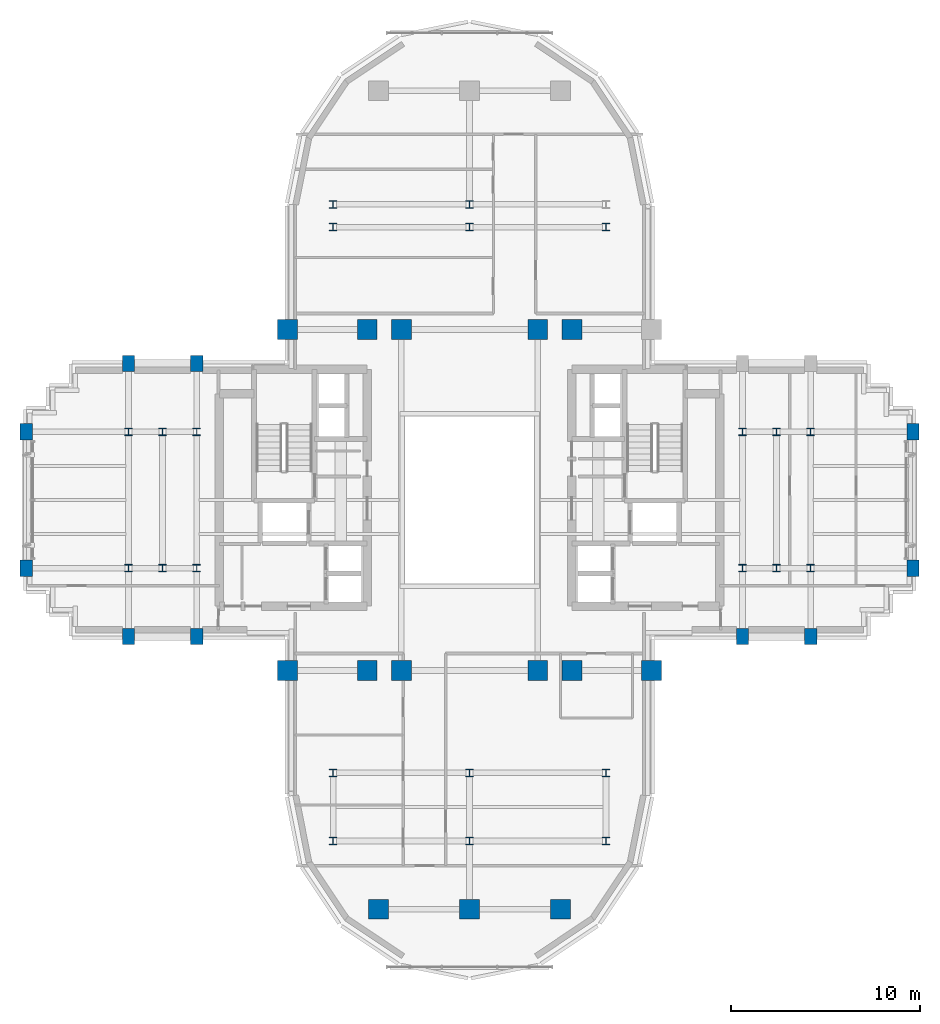
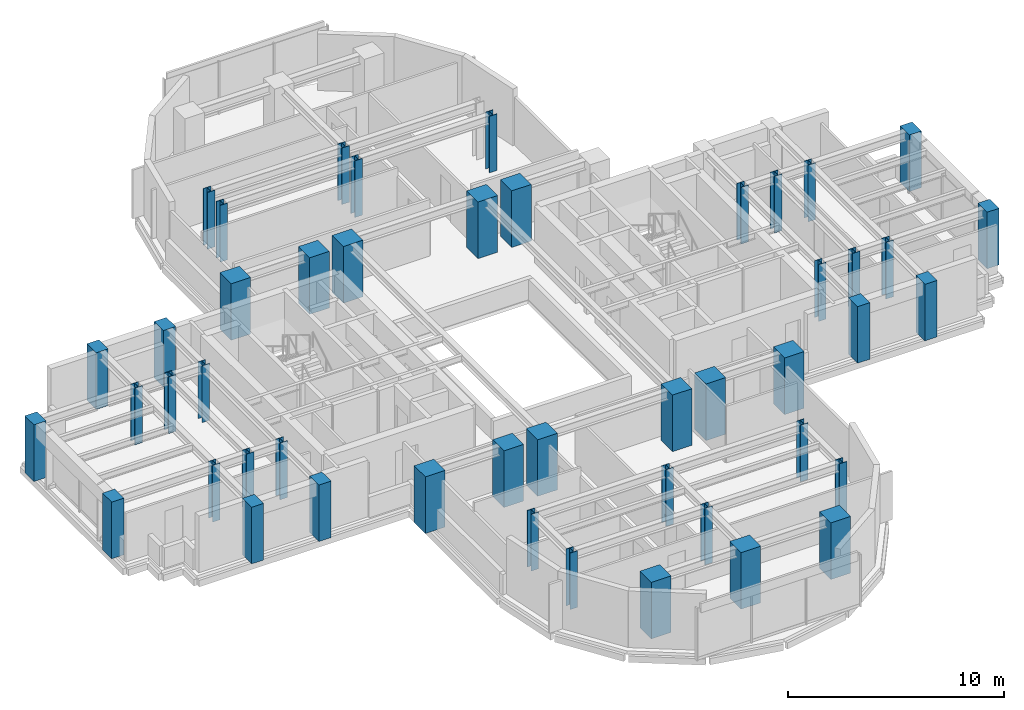
# One storey, part 1 of 14: 47 columns.
"""IFC4 building model written with IfcOpenShell, lengths in metres."""

from ifc_helpers import new_model, si_unit, direction, frame, origin, origin_2d, place, context, subcontext, project, spatial, rectangle, i_section, extrude, source, transform, mapped, material, material_profile, profile_set, type_object, element, save


model = new_model("IFC4")

# Units and contexts
model_context = context("Model", 3, precision=1e-05, world=origin(), true_north=direction((0.0, 1.0)))
body_context = subcontext(model_context, "Body", "Model", "MODEL_VIEW")
ifc_project = project(units=[si_unit("LENGTHUNIT", "METRE"), si_unit("AREAUNIT", "SQUARE_METRE"), si_unit("VOLUMEUNIT", "CUBIC_METRE"), si_unit("PLANEANGLEUNIT", "RADIAN"), si_unit("MASSUNIT", "GRAM", prefix="KILO")], contexts=[model_context])

# Site, building, storey
site_placement = place(None, origin())
site = spatial("IfcSite", under=ifc_project, at=site_placement, CompositionType="ELEMENT")
building_placement = place(site_placement, origin())
building = spatial("IfcBuilding", under=site, at=building_placement, Name="Keilestroom Media Tower", CompositionType="ELEMENT")
storey_placement = place(building_placement, frame((0.0, 0.0, 127.800048828125)))
storey = spatial("IfcBuildingStorey", under=building, at=storey_placement, Name="L34", CompositionType="ELEMENT", Elevation=127.800048828125)

# Columns
ifc_material_1 = material(Name="Precast concrete C40/50", Category="concrete")
ifc_material_profile_1 = material_profile(ifc_material_1, rectangle(XDim=0.64990234375, YDim=0.85009765625, at=origin_2d()), Name="PC 850x650")
ifc_profile_set_1 = profile_set([ifc_material_profile_1], Name="Precast concrete C40/50")
column_type_1 = type_object("IfcColumnType", Name="Structural-Column-PC-850x650", PredefinedType="COLUMN", material=ifc_profile_set_1)
shared_shape_1 = source(origin(), body_context, "Body", "SweptSolid", [
    extrude(rectangle(XDim=0.64990234375, YDim=0.85009765625, at=origin_2d()), origin(), (0.0, 0.0, 1.0), 3.199951171875),
])
for number, where, z_axis, x_axis, name in (
    (1, (-23.39990234375, -3.60009765625, 0.0), (0.0, 0.0, 1.0), (1.0, 0.0, 0.0), "L34 Column PC-2 (-23.4,-3.6)"),
    (2, (-23.39990234375, 3.60009765625, 0.0), (0.0, 0.0, 1.0), (1.0, 0.0, 0.0), "L34 Column PC-2 (-23.4,+3.6)"),
    (3, (-18.0, -7.199951171875, 0.0), (0.0, 0.0, 1.0), (1.0, 0.0, 0.0), "L34 Column PC-2 (-18.0,-7.2)"),
    (4, (-18.0, 7.199951171875, 0.0), (0.0, 0.0, 1.0), (1.0, 0.0, 0.0), "L34 Column PC-2 (-18.0,+7.2)"),
    (5, (-14.39990234375, -7.199951171875, 0.0), (0.0, 0.0, 1.0), (1.0, 0.0, 0.0), "L34 Column PC-2 (-14.4,-7.2)"),
    (6, (-14.39990234375, 7.199951171875, 0.0), (0.0, 0.0, 1.0), (1.0, 0.0, 0.0), "L34 Column PC-2 (-14.4,+7.2)"),
    (7, (14.39990234375, -7.199951171875, 0.0), (0.0, 0.0, 1.0), (1.0, 0.0, 0.0), "L34 Column PC-2 (+14.4,-7.2)"),
    (8, (18.0, -7.199951171875, 0.0), (0.0, 0.0, 1.0), (1.0, 0.0, 0.0), "L34 Column PC-2 (+18.0,-7.2)"),
    (9, (23.39990234375, -3.60009765625, 0.0), (0.0, 0.0, 1.0), (1.0, 0.0, 0.0), "L34 Column PC-2 (+23.4,-3.6)"),
    (10, (23.39990234375, 3.60009765625, 0.0), (0.0, 0.0, 1.0), (1.0, 0.0, 0.0), "L34 Column PC-2 (+23.4,+3.6)"),
):
    element("IfcColumn", number, at=place(storey_placement, frame(where, z_axis=z_axis, x_axis=x_axis)), inside=storey, type_object=column_type_1, Name=name, PredefinedType="COLUMN", context=body_context, shape_type="MappedRepresentation", body=[
        mapped(shared_shape_1, transform((0.0, 0.0, 0.0), x_axis=(1.0, 0.0, 0.0), y_axis=(0.0, 1.0, 0.0), z_axis=(0.0, 0.0, 1.0), scale=1.0)),
    ])
ifc_material_2 = material(Name="Steel S355", Category="steel")
ifc_material_profile_2 = material_profile(ifc_material_2, i_section(OverallWidth=0.40087890625, OverallDepth=0.39892578125, WebThickness=0.02001953125, FlangeThickness=0.031982421875, at=origin_2d()), Name="HD 400x314")
ifc_profile_set_2 = profile_set([ifc_material_profile_2], Name="Steel S355")
column_type_2 = type_object("IfcColumnType", Name="Structural-Column-HD-400x314", PredefinedType="COLUMN", material=ifc_profile_set_2)
shared_shape_2 = source(origin(), body_context, "Body", "SweptSolid", [
    extrude(i_section(OverallWidth=0.40087890625, OverallDepth=0.39892578125, WebThickness=0.02001953125, FlangeThickness=0.031982421875, at=origin_2d()), origin(), (0.0, 0.0, 1.0), 3.199951171875),
])
for number, where, z_axis, x_axis, name in (
    (11, (-18.0, -3.60009765625, 0.0), (0.0, 0.0, 1.0), (1.0, 0.0, 0.0), "L34 Column SC-3 (-18.0,-3.6)"),
    (12, (-18.0, 3.60009765625, 0.0), (0.0, 0.0, 1.0), (1.0, 0.0, 0.0), "L34 Column SC-3 (-18.0,+3.6)"),
    (13, (-16.199951171875, -3.60009765625, 0.0), (0.0, 0.0, 1.0), (1.0, 0.0, 0.0), "L34 Column SC-3 (-16.2,-3.6)"),
    (14, (-16.199951171875, 3.60009765625, 0.0), (0.0, 0.0, 1.0), (1.0, 0.0, 0.0), "L34 Column SC-3 (-16.2,+3.6)"),
    (15, (-14.39990234375, -3.60009765625, 0.0), (0.0, 0.0, 1.0), (1.0, 0.0, 0.0), "L34 Column SC-3 (-14.4,-3.6)"),
    (16, (-14.39990234375, 3.60009765625, 0.0), (0.0, 0.0, 1.0), (1.0, 0.0, 0.0), "L34 Column SC-3 (-14.4,+3.6)"),
    (17, (-7.199951171875, -18.0, 0.0), (0.0, 0.0, 1.0), (1.0, 0.0, 0.0), "L34 Column SC-3 (-7.2,-18.0)"),
    (18, (-7.199951171875, -14.39990234375, 0.0), (0.0, 0.0, 1.0), (1.0, 0.0, 0.0), "L34 Column SC-3 (-7.2,-14.4)"),
    (19, (-7.199951171875, 14.39990234375, 0.0), (0.0, 0.0, 1.0), (1.0, 0.0, 0.0), "L34 Column SC-3 (-7.2,+14.4)"),
    (20, (-7.199951171875, 15.60009765625, 0.0), (0.0, 0.0, 1.0), (1.0, 0.0, 0.0), "L34 Column SC-3 (-7.2,+15.6)"),
    (21, (0.0, -18.0, 0.0), (0.0, 0.0, 1.0), (1.0, 0.0, 0.0), "L34 Column SC-3 (+0.0,-18.0)"),
    (22, (0.0, -14.39990234375, 0.0), (0.0, 0.0, 1.0), (1.0, 0.0, 0.0), "L34 Column SC-3 (+0.0,-14.4)"),
    (23, (0.0, 14.39990234375, 0.0), (0.0, 0.0, 1.0), (1.0, 0.0, 0.0), "L34 Column SC-3 (+0.0,+14.4)"),
    (24, (0.0, 15.60009765625, 0.0), (0.0, 0.0, 1.0), (1.0, 0.0, 0.0), "L34 Column SC-3 (+0.0,+15.6)"),
    (25, (7.199951171875, -18.0, 0.0), (0.0, 0.0, 1.0), (1.0, 0.0, 0.0), "L34 Column SC-3 (+7.2,-18.0)"),
    (26, (7.199951171875, -14.39990234375, 0.0), (0.0, 0.0, 1.0), (1.0, 0.0, 0.0), "L34 Column SC-3 (+7.2,-14.4)"),
    (27, (7.199951171875, 14.39990234375, 0.0), (0.0, 0.0, 1.0), (1.0, 0.0, 0.0), "L34 Column SC-3 (+7.2,+14.4)"),
    (28, (14.39990234375, -3.60009765625, 0.0), (0.0, 0.0, 1.0), (1.0, 0.0, 0.0), "L34 Column SC-3 (+14.4,-3.6)"),
    (29, (14.39990234375, 3.60009765625, 0.0), (0.0, 0.0, 1.0), (1.0, 0.0, 0.0), "L34 Column SC-3 (+14.4,+3.6)"),
    (30, (16.199951171875, -3.60009765625, 0.0), (0.0, 0.0, 1.0), (1.0, 0.0, 0.0), "L34 Column SC-3 (+16.2,-3.6)"),
    (31, (16.199951171875, 3.60009765625, 0.0), (0.0, 0.0, 1.0), (1.0, 0.0, 0.0), "L34 Column SC-3 (+16.2,+3.6)"),
    (32, (18.0, -3.60009765625, 0.0), (0.0, 0.0, 1.0), (1.0, 0.0, 0.0), "L34 Column SC-3 (+18.0,-3.6)"),
    (33, (18.0, 3.60009765625, 0.0), (0.0, 0.0, 1.0), (1.0, 0.0, 0.0), "L34 Column SC-3 (+18.0,+3.6)"),
):
    element("IfcColumn", number, at=place(storey_placement, frame(where, z_axis=z_axis, x_axis=x_axis)), inside=storey, type_object=column_type_2, Name=name, PredefinedType="COLUMN", context=body_context, shape_type="MappedRepresentation", body=[
        mapped(shared_shape_2, transform((0.0, 0.0, 0.0), x_axis=(1.0, 0.0, 0.0), y_axis=(0.0, 1.0, 0.0), z_axis=(0.0, 0.0, 1.0), scale=1.0)),
    ])
ifc_material_3 = material(Name="Concrete C55/67", Category="concrete")
ifc_material_profile_3 = material_profile(ifc_material_3, rectangle(XDim=1.050048828125, YDim=1.050048828125, at=origin_2d()), Name="RC 1050x1050")
ifc_profile_set_3 = profile_set([ifc_material_profile_3], Name="Concrete C55/67")
column_type_3 = type_object("IfcColumnType", Name="Structural-Column-RC-1050x1050", PredefinedType="COLUMN", material=ifc_profile_set_3)
shared_shape_3 = source(origin(), body_context, "Body", "SweptSolid", [
    extrude(rectangle(XDim=1.050048828125, YDim=1.050048828125, at=origin_2d()), origin(), (0.0, 0.0, 1.0), 3.199951171875),
])
for number, where, z_axis, x_axis, name in (
    (34, (-9.60009765625, -9.0, 0.0), (0.0, 0.0, 1.0), (1.0, 0.0, 0.0), "L34 Column MC-3 (-9.6,-9.0)"),
    (35, (-9.60009765625, 9.0, 0.0), (0.0, 0.0, 1.0), (1.0, 0.0, 0.0), "L34 Column MC-3 (-9.6,+9.0)"),
    (36, (-5.39990234375, -9.0, 0.0), (0.0, 0.0, 1.0), (1.0, 0.0, 0.0), "L34 Column MC-3 (-5.4,-9.0)"),
    (37, (-5.39990234375, 9.0, 0.0), (0.0, 0.0, 1.0), (1.0, 0.0, 0.0), "L34 Column MC-3 (-5.4,+9.0)"),
    (38, (-4.800048828125, -21.60009765625, 0.0), (0.0, 0.0, 1.0), (1.0, 0.0, 0.0), "L34 Column MC-3 (-4.8,-21.6)"),
    (39, (-3.60009765625, -9.0, 0.0), (0.0, 0.0, 1.0), (1.0, 0.0, 0.0), "L34 Column MC-3 (-3.6,-9.0)"),
    (40, (-3.60009765625, 9.0, 0.0), (0.0, 0.0, 1.0), (1.0, 0.0, 0.0), "L34 Column MC-3 (-3.6,+9.0)"),
    (41, (0.0, -21.60009765625, 0.0), (0.0, 0.0, 1.0), (1.0, 0.0, 0.0), "L34 Column MC-3 (+0.0,-21.6)"),
    (42, (3.60009765625, -9.0, 0.0), (0.0, 0.0, 1.0), (1.0, 0.0, 0.0), "L34 Column MC-3 (+3.6,-9.0)"),
    (43, (3.60009765625, 9.0, 0.0), (0.0, 0.0, 1.0), (1.0, 0.0, 0.0), "L34 Column MC-3 (+3.6,+9.0)"),
    (44, (4.800048828125, -21.60009765625, 0.0), (0.0, 0.0, 1.0), (1.0, 0.0, 0.0), "L34 Column MC-3 (+4.8,-21.6)"),
    (45, (5.39990234375, -9.0, 0.0), (0.0, 0.0, 1.0), (1.0, 0.0, 0.0), "L34 Column MC-3 (+5.4,-9.0)"),
    (46, (5.39990234375, 9.0, 0.0), (0.0, 0.0, 1.0), (1.0, 0.0, 0.0), "L34 Column MC-3 (+5.4,+9.0)"),
    (47, (9.60009765625, -9.0, 0.0), (0.0, 0.0, 1.0), (1.0, 0.0, 0.0), "L34 Column MC-3 (+9.6,-9.0)"),
):
    element("IfcColumn", number, at=place(storey_placement, frame(where, z_axis=z_axis, x_axis=x_axis)), inside=storey, type_object=column_type_3, Name=name, PredefinedType="COLUMN", context=body_context, shape_type="MappedRepresentation", body=[
        mapped(shared_shape_3, transform((0.0, 0.0, 0.0), x_axis=(1.0, 0.0, 0.0), y_axis=(0.0, 1.0, 0.0), z_axis=(0.0, 0.0, 1.0), scale=1.0)),
    ])

save(model, "model.ifc")
